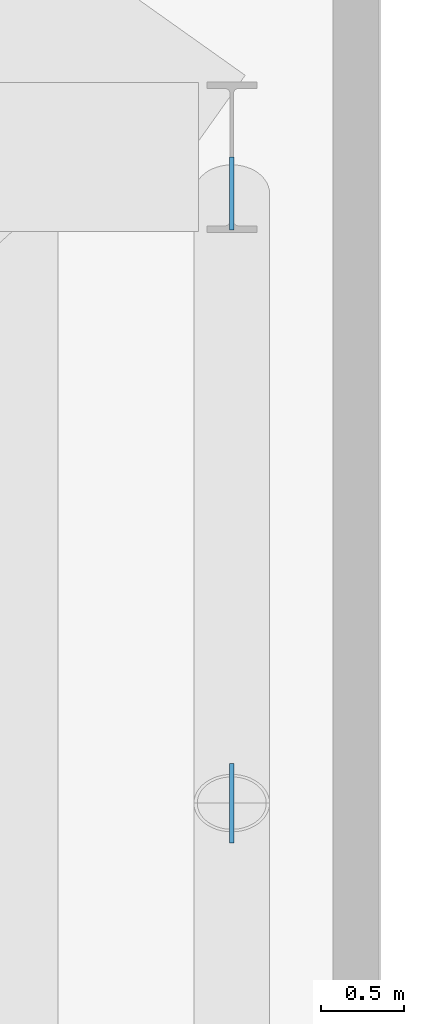
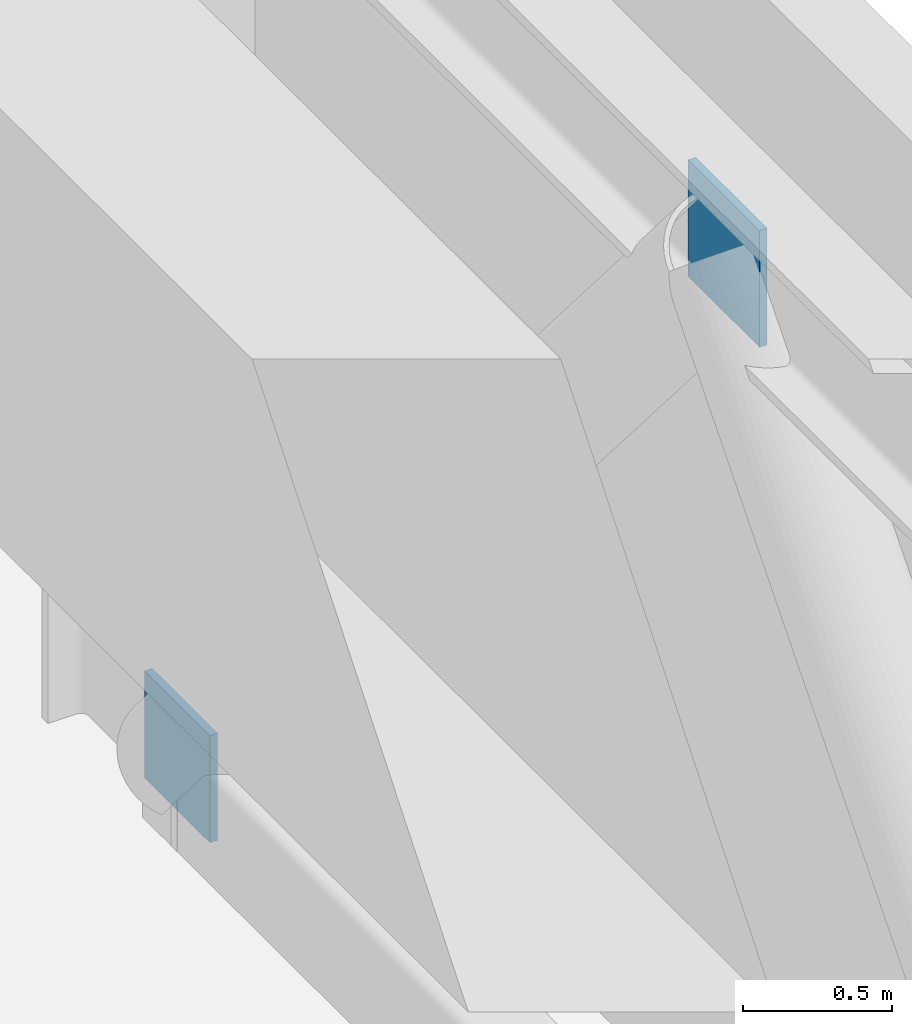
# One storey, part 7 of 13: 2 plates.
"""IFC4 building model written with IfcOpenShell, lengths in metres."""

from ifc_helpers import new_model, si_unit, direction, frame, origin, origin_2d, place, context, subcontext, project, spatial, rectangle, extrude, material, layer, layer_set, type_object, element, save


model = new_model("IFC4")

# Units and contexts
model_context = context("Model", 3, precision=1e-05, world=origin(), true_north=direction((0.0, 1.0)))
body_context = subcontext(model_context, "Body", "Model", "MODEL_VIEW")
ifc_project = project(units=[si_unit("LENGTHUNIT", "METRE"), si_unit("AREAUNIT", "SQUARE_METRE"), si_unit("VOLUMEUNIT", "CUBIC_METRE"), si_unit("PLANEANGLEUNIT", "RADIAN"), si_unit("MASSUNIT", "GRAM", prefix="KILO")], contexts=[model_context])

# Site, building, storey
site_placement = place(None, origin())
site = spatial("IfcSite", under=ifc_project, at=site_placement, CompositionType="ELEMENT")
building_placement = place(site_placement, origin())
building = spatial("IfcBuilding", under=site, at=building_placement, Name="Tarnavaz Court Tower", CompositionType="ELEMENT")
storey_placement = place(building_placement, frame((0.0, 0.0, 181.800048828125)))
storey = spatial("IfcBuildingStorey", under=building, at=storey_placement, Name="L49", CompositionType="ELEMENT", Elevation=181.800048828125)

# Plates
ifc_material = material(Name="Steel S355", Category="steel")
ifc_layer = layer(ifc_material, 0.030029296875)
ifc_layer_set = layer_set([ifc_layer], Name="Steel S355")
plate_type = type_object("IfcPlateType", Name="PL-GUSSET-30", PredefinedType="USERDEFINED", material=ifc_layer_set)
plate_1_placement = place(storey_placement, frame((24.300048828125, 9.89990234375, 4.260009765625), z_axis=(0.0, 0.0, 1.0), x_axis=(0.0, 1.0, 0.0)))
element("IfcPlate", 1, at=plate_1_placement, inside=storey, type_object=plate_type, Name="L49 Belt Truss Apex Gusset & End-Cap Plate 09", ObjectType="GUSSET PLATE", PredefinedType="USERDEFINED", context=body_context, shape_type="SweptSolid", body=[
    extrude(rectangle(XDim=0.47998046875, YDim=0.030029296875, at=origin_2d()), origin(), (0.0, 0.0, 1.0), 0.47998046875),
])
plate_2_placement = place(storey_placement, frame((24.300048828125, 13.580078125, -0.02001953125), z_axis=(0.0, 0.0, 1.0), x_axis=(0.0, 1.0, 0.0)))
element("IfcPlate", 2, at=plate_2_placement, inside=storey, type_object=plate_type, Name="L49 Structural Brace & Strut End Gusset Plate 090", ObjectType="GUSSET PLATE", PredefinedType="USERDEFINED", context=body_context, shape_type="SweptSolid", body=[
    extrude(rectangle(XDim=0.43994140625, YDim=0.030029296875, at=origin_2d()), origin(), (0.0, 0.0, 1.0), 0.43994140625),
])

save(model, "model.ifc")
